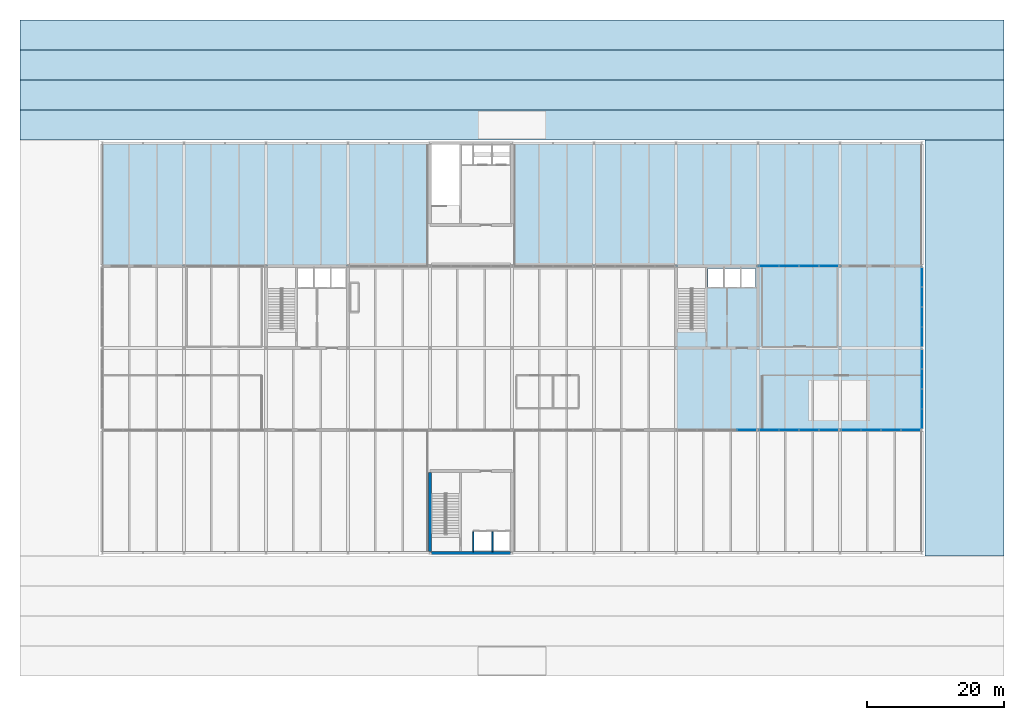
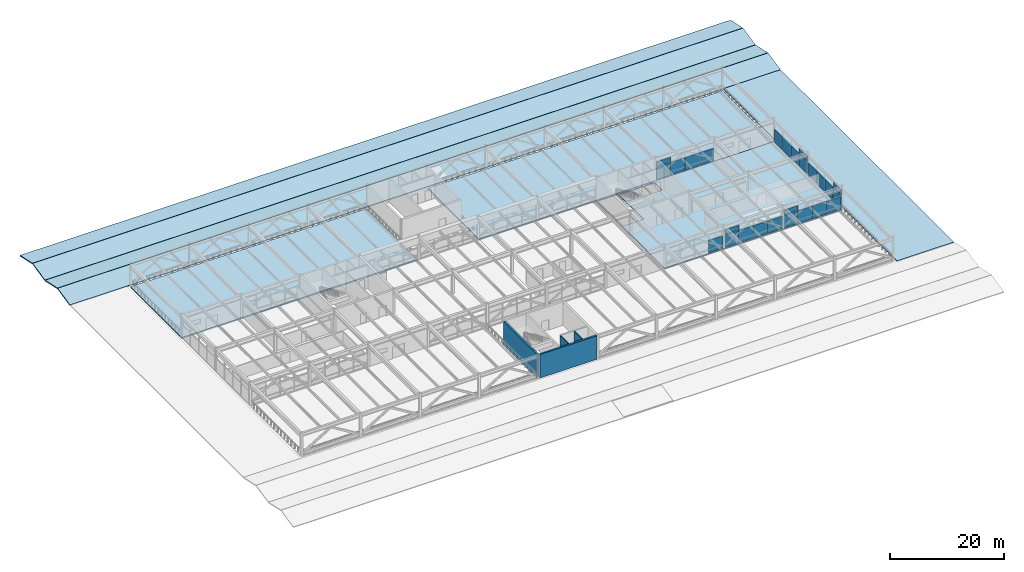
# One storey, part 34 of 42: 26 plates, 8 slabs, 4 walls, 6 elements without a shape of their own.
"""IFC4 building model written with IfcOpenShell, lengths in metres."""

from ifc_helpers import new_model, si_unit, direction, frame, frame_2d, origin, origin_2d, place, context, subcontext, project, spatial, polyline, rectangle, outline, extrude, material, layer, layer_set, type_object, element, aggregate, save


model = new_model("IFC4")

# Units and contexts
model_context = context("Model", 3, precision=1e-05, world=origin(), true_north=direction((0.0, 1.0)))
body_context = subcontext(model_context, "Body", "Model", "MODEL_VIEW")
ifc_project = project(units=[si_unit("LENGTHUNIT", "METRE"), si_unit("AREAUNIT", "SQUARE_METRE"), si_unit("VOLUMEUNIT", "CUBIC_METRE"), si_unit("PLANEANGLEUNIT", "RADIAN"), si_unit("MASSUNIT", "GRAM", prefix="KILO")], contexts=[model_context])

# Site, building, storey
site_placement = place(None, origin())
site = spatial("IfcSite", under=ifc_project, at=site_placement, CompositionType="ELEMENT")
building_placement = place(site_placement, origin())
building = spatial("IfcBuilding", under=site, at=building_placement, Name="Girod Span Mobility Hub", CompositionType="ELEMENT")
storey_placement = place(building_placement, frame((0.0, 0.0, 32.39990234375)))
storey = spatial("IfcBuildingStorey", under=building, at=storey_placement, Name="L08", CompositionType="ELEMENT", Elevation=32.39990234375)

# Curtain wall, plate
ifc_material_1 = material(Name="Thermally Broken Anodised Aluminium", Category="aluminium")
curtain_wall_type_1 = type_object("IfcCurtainWallType", Name="CW-1160X410", PredefinedType="USERDEFINED", material=ifc_material_1)
curtain_wall_1_placement = place(storey_placement, origin())
curtain_wall_1 = element("IfcCurtainWall", 1, at=curtain_wall_1_placement, inside=storey, type_object=curtain_wall_type_1, Name="Unitised Curtain Wall CW-L08-S11 L08", ObjectType="UNITISED CURTAIN WALL", PredefinedType="USERDEFINED")
ifc_material_2 = material(Name="Double Low-E Insulated Glazing", Category="glass")
ifc_layer_1 = layer(ifc_material_2, 0.05810546875)
ifc_layer_set_1 = layer_set([ifc_layer_1], Name="Double Low-E Insulated Glazing")
plate_type_1 = type_object("IfcPlateType", Name="PLT-SPN-2830X1068X58", PredefinedType="CURTAIN_PANEL", material=ifc_layer_set_1)
plate_1_placement = place(storey_placement, frame((121.651123046875, 45.0, 2.9521484375), z_axis=(0.0, 0.0, 1.0), x_axis=(1.0, 0.0, 0.0)))
plate_1 = element("IfcPlate", 2, at=plate_1_placement, type_object=plate_type_1, Name="Spandrel Glazing Panel CW-L08-S11-S1", PredefinedType="CURTAIN_PANEL", context=body_context, shape_type="SweptSolid", body=[
    extrude(rectangle(XDim=2.83642578125, YDim=0.05810546875, at=origin_2d()), origin(), (0.0, 0.0, 1.0), 1.028076171875),
])

curtain_wall_2_placement = place(storey_placement, origin())
curtain_wall_2 = element("IfcCurtainWall", 3, at=curtain_wall_2_placement, inside=storey, type_object=curtain_wall_type_1, Name="Unitised Curtain Wall CW-L08-N11 L08", ObjectType="UNITISED CURTAIN WALL", PredefinedType="USERDEFINED")
plate_2_placement = place(storey_placement, frame((121.651123046875, 69.0, 2.9521484375), z_axis=(0.0, 0.0, 1.0), x_axis=(1.0, 0.0, 0.0)))
plate_2 = element("IfcPlate", 4, at=plate_2_placement, type_object=plate_type_1, Name="Spandrel Glazing Panel CW-L08-N11-S1", PredefinedType="CURTAIN_PANEL", context=body_context, shape_type="SweptSolid", body=[
    extrude(rectangle(XDim=2.83642578125, YDim=0.05810546875, at=origin_2d()), origin(), (0.0, 0.0, 1.0), 1.028076171875),
])

curtain_wall_3_placement = place(storey_placement, origin())
curtain_wall_3 = element("IfcCurtainWall", 5, at=curtain_wall_3_placement, inside=storey, type_object=curtain_wall_type_1, Name="Unitised Curtain Wall CW-L08-S12 L08", ObjectType="UNITISED CURTAIN WALL", PredefinedType="USERDEFINED")
ifc_material_3 = material(Name="Double Low-E Insulated Glazing", Category="glass")
ifc_layer_2 = layer(ifc_material_3, 0.05810546875)
ifc_layer_set_2 = layer_set([ifc_layer_2], Name="Double Low-E Insulated Glazing")
plate_type_2 = type_object("IfcPlateType", Name="PLT-SPN-2831X1068X58", PredefinedType="CURTAIN_PANEL", material=ifc_layer_set_2)
plate_3_placement = place(storey_placement, frame((133.648193359375, 45.0, 2.9521484375), z_axis=(0.0, 0.0, 1.0), x_axis=(1.0, 0.0, 0.0)))
plate_3 = element("IfcPlate", 6, at=plate_3_placement, type_object=plate_type_2, Name="Spandrel Glazing Panel CW-L08-S12-S1", PredefinedType="CURTAIN_PANEL", context=body_context, shape_type="SweptSolid", body=[
    extrude(rectangle(XDim=2.83740234375, YDim=0.05810546875, at=origin_2d()), origin(), (0.0, 0.0, 1.0), 1.028076171875),
])

ifc_material_4 = material(Name="Thermally Broken Anodised Aluminium", Category="aluminium")
curtain_wall_type_2 = type_object("IfcCurtainWallType", Name="CW-1161X410", PredefinedType="USERDEFINED", material=ifc_material_4)
curtain_wall_4_placement = place(storey_placement, origin())
curtain_wall_4 = element("IfcCurtainWall", 7, at=curtain_wall_4_placement, inside=storey, type_object=curtain_wall_type_2, Name="Unitised Curtain Wall CW-L08-ED L08", ObjectType="UNITISED CURTAIN WALL", PredefinedType="USERDEFINED")
ifc_material_5 = material(Name="Double Low-E Insulated Glazing", Category="glass")
ifc_layer_3 = layer(ifc_material_5, 0.05810546875)
ifc_layer_set_3 = layer_set([ifc_layer_3], Name="Double Low-E Insulated Glazing")
plate_type_3 = type_object("IfcPlateType", Name="PLT-SPN-2833X1068X58", PredefinedType="CURTAIN_PANEL", material=ifc_layer_set_3)
plate_4_placement = place(storey_placement, frame((144.0, 46.64599609375, 2.9521484375), z_axis=(0.0, 0.0, 1.0), x_axis=(0.0, 1.0, 0.0)))
plate_4 = element("IfcPlate", 8, at=plate_4_placement, type_object=plate_type_3, Name="Spandrel Glazing Panel CW-L08-ED-S1", PredefinedType="CURTAIN_PANEL", context=body_context, shape_type="SweptSolid", body=[
    extrude(rectangle(XDim=2.8388671875, YDim=0.05810546875, at=origin_2d()), origin(), (0.0, 0.0, 1.0), 1.028076171875),
])

curtain_wall_5_placement = place(storey_placement, origin())
curtain_wall_5 = element("IfcCurtainWall", 9, at=curtain_wall_5_placement, inside=storey, type_object=curtain_wall_type_2, Name="Unitised Curtain Wall CW-L08-EE L08", ObjectType="UNITISED CURTAIN WALL", PredefinedType="USERDEFINED")
plate_5_placement = place(storey_placement, frame((144.0, 58.64599609375, 2.9521484375), z_axis=(0.0, 0.0, 1.0), x_axis=(0.0, 1.0, 0.0)))
plate_5 = element("IfcPlate", 10, at=plate_5_placement, type_object=plate_type_3, Name="Spandrel Glazing Panel CW-L08-EE-S1", PredefinedType="CURTAIN_PANEL", context=body_context, shape_type="SweptSolid", body=[
    extrude(rectangle(XDim=2.8388671875, YDim=0.05810546875, at=origin_2d()), origin(), (0.0, 0.0, 1.0), 1.028076171875),
])

curtain_wall_6_placement = place(storey_placement, origin())
curtain_wall_6 = element("IfcCurtainWall", 11, at=curtain_wall_6_placement, inside=storey, type_object=curtain_wall_type_1, Name="Unitised Curtain Wall CW-L08-S10 L08", ObjectType="UNITISED CURTAIN WALL", PredefinedType="USERDEFINED")
ifc_material_6 = material(Name="Double Low-E Insulated Glazing", Category="glass")
ifc_layer_4 = layer(ifc_material_6, 0.0458984375)
ifc_layer_set_4 = layer_set([ifc_layer_4], Name="Double Low-E Insulated Glazing")
plate_type_4 = type_object("IfcPlateType", Name="PLT-VIS-2830X2952X46", PredefinedType="CURTAIN_PANEL", material=ifc_layer_set_4)
plate_6_placement = place(storey_placement, frame((118.349365234375, 45.0, 0.14013671875), z_axis=(0.0, 0.0, 1.0), x_axis=(1.0, 0.0, 0.0)))
plate_6 = element("IfcPlate", 12, at=plate_6_placement, type_object=plate_type_4, Name="Vision Glazing Panel CW-L08-S10-V4", PredefinedType="CURTAIN_PANEL", context=body_context, shape_type="SweptSolid", body=[
    extrude(rectangle(XDim=2.83544921875, YDim=0.0458984375, at=origin_2d()), origin(), (0.0, 0.0, 1.0), 2.69189453125),
])
aggregate(curtain_wall_6, [plate_6])

# Plate
plate_7_placement = place(storey_placement, frame((121.651123046875, 45.0, 0.14013671875), z_axis=(0.0, 0.0, 1.0), x_axis=(1.0, 0.0, 0.0)))
plate_7 = element("IfcPlate", 13, at=plate_7_placement, type_object=plate_type_4, Name="Vision Glazing Panel CW-L08-S11-V1", PredefinedType="CURTAIN_PANEL", context=body_context, shape_type="SweptSolid", body=[
    extrude(rectangle(XDim=2.83642578125, YDim=0.0458984375, at=origin_2d()), origin(), (0.0, 0.0, 1.0), 2.69189453125),
])

plate_8_placement = place(storey_placement, frame((124.551513671875, 45.0, 0.14013671875), z_axis=(0.0, 0.0, 1.0), x_axis=(1.0, 0.0, 0.0)))
plate_8 = element("IfcPlate", 14, at=plate_8_placement, type_object=plate_type_4, Name="Vision Glazing Panel CW-L08-S11-V2", PredefinedType="CURTAIN_PANEL", context=body_context, shape_type="SweptSolid", body=[
    extrude(rectangle(XDim=2.836181640625, YDim=0.0458984375, at=origin_2d()), origin(), (0.0, 0.0, 1.0), 2.69189453125),
])

plate_9_placement = place(storey_placement, frame((127.451904296875, 45.0, 0.14013671875), z_axis=(0.0, 0.0, 1.0), x_axis=(1.0, 0.0, 0.0)))
plate_9 = element("IfcPlate", 15, at=plate_9_placement, type_object=plate_type_4, Name="Vision Glazing Panel CW-L08-S11-V3", PredefinedType="CURTAIN_PANEL", context=body_context, shape_type="SweptSolid", body=[
    extrude(rectangle(XDim=2.83642578125, YDim=0.0458984375, at=origin_2d()), origin(), (0.0, 0.0, 1.0), 2.69189453125),
])

plate_10_placement = place(storey_placement, frame((130.352294921875, 45.0, 0.14013671875), z_axis=(0.0, 0.0, 1.0), x_axis=(1.0, 0.0, 0.0)))
plate_10 = element("IfcPlate", 16, at=plate_10_placement, type_object=plate_type_4, Name="Vision Glazing Panel CW-L08-S11-V4", PredefinedType="CURTAIN_PANEL", context=body_context, shape_type="SweptSolid", body=[
    extrude(rectangle(XDim=2.83642578125, YDim=0.0458984375, at=origin_2d()), origin(), (0.0, 0.0, 1.0), 2.69189453125),
])

aggregate(curtain_wall_1, [plate_7, plate_1, plate_8, plate_9, plate_10])

plate_11_placement = place(storey_placement, frame((121.651123046875, 69.0, 0.14013671875), z_axis=(0.0, 0.0, 1.0), x_axis=(1.0, 0.0, 0.0)))
plate_11 = element("IfcPlate", 17, at=plate_11_placement, type_object=plate_type_4, Name="Vision Glazing Panel CW-L08-N11-V1", PredefinedType="CURTAIN_PANEL", context=body_context, shape_type="SweptSolid", body=[
    extrude(rectangle(XDim=2.83642578125, YDim=0.0458984375, at=origin_2d()), origin(), (0.0, 0.0, 1.0), 2.69189453125),
])

plate_12_placement = place(storey_placement, frame((124.551513671875, 69.0, 0.14013671875), z_axis=(0.0, 0.0, 1.0), x_axis=(1.0, 0.0, 0.0)))
plate_12 = element("IfcPlate", 18, at=plate_12_placement, type_object=plate_type_4, Name="Vision Glazing Panel CW-L08-N11-V2", PredefinedType="CURTAIN_PANEL", context=body_context, shape_type="SweptSolid", body=[
    extrude(rectangle(XDim=2.836181640625, YDim=0.0458984375, at=origin_2d()), origin(), (0.0, 0.0, 1.0), 2.69189453125),
])

plate_13_placement = place(storey_placement, frame((127.451904296875, 69.0, 0.14013671875), z_axis=(0.0, 0.0, 1.0), x_axis=(1.0, 0.0, 0.0)))
plate_13 = element("IfcPlate", 19, at=plate_13_placement, type_object=plate_type_4, Name="Vision Glazing Panel CW-L08-N11-V3", PredefinedType="CURTAIN_PANEL", context=body_context, shape_type="SweptSolid", body=[
    extrude(rectangle(XDim=2.83642578125, YDim=0.0458984375, at=origin_2d()), origin(), (0.0, 0.0, 1.0), 2.69189453125),
])

plate_14_placement = place(storey_placement, frame((130.352294921875, 69.0, 0.14013671875), z_axis=(0.0, 0.0, 1.0), x_axis=(1.0, 0.0, 0.0)))
plate_14 = element("IfcPlate", 20, at=plate_14_placement, type_object=plate_type_4, Name="Vision Glazing Panel CW-L08-N11-V4", PredefinedType="CURTAIN_PANEL", context=body_context, shape_type="SweptSolid", body=[
    extrude(rectangle(XDim=2.83642578125, YDim=0.0458984375, at=origin_2d()), origin(), (0.0, 0.0, 1.0), 2.69189453125),
])

aggregate(curtain_wall_2, [plate_11, plate_2, plate_12, plate_13, plate_14])

ifc_material_7 = material(Name="Double Low-E Insulated Glazing", Category="glass")
ifc_layer_5 = layer(ifc_material_7, 0.0458984375)
ifc_layer_set_5 = layer_set([ifc_layer_5], Name="Double Low-E Insulated Glazing")
plate_type_5 = type_object("IfcPlateType", Name="PLT-VIS-2831X2952X46", PredefinedType="CURTAIN_PANEL", material=ifc_layer_set_5)
plate_15_placement = place(storey_placement, frame((133.648193359375, 45.0, 0.14013671875), z_axis=(0.0, 0.0, 1.0), x_axis=(1.0, 0.0, 0.0)))
plate_15 = element("IfcPlate", 21, at=plate_15_placement, type_object=plate_type_5, Name="Vision Glazing Panel CW-L08-S12-V1", PredefinedType="CURTAIN_PANEL", context=body_context, shape_type="SweptSolid", body=[
    extrude(rectangle(XDim=2.83740234375, YDim=0.0458984375, at=origin_2d()), origin(), (0.0, 0.0, 1.0), 2.69189453125),
])

plate_16_placement = place(storey_placement, frame((136.54931640625, 45.0, 0.14013671875), z_axis=(0.0, 0.0, 1.0), x_axis=(1.0, 0.0, 0.0)))
plate_16 = element("IfcPlate", 22, at=plate_16_placement, type_object=plate_type_5, Name="Vision Glazing Panel CW-L08-S12-V2", PredefinedType="CURTAIN_PANEL", context=body_context, shape_type="SweptSolid", body=[
    extrude(rectangle(XDim=2.837158203125, YDim=0.0458984375, at=origin_2d()), origin(), (0.0, 0.0, 1.0), 2.69189453125),
])

plate_17_placement = place(storey_placement, frame((139.45068359375, 45.0, 0.14013671875), z_axis=(0.0, 0.0, 1.0), x_axis=(1.0, 0.0, 0.0)))
plate_17 = element("IfcPlate", 23, at=plate_17_placement, type_object=plate_type_5, Name="Vision Glazing Panel CW-L08-S12-V3", PredefinedType="CURTAIN_PANEL", context=body_context, shape_type="SweptSolid", body=[
    extrude(rectangle(XDim=2.837158203125, YDim=0.0458984375, at=origin_2d()), origin(), (0.0, 0.0, 1.0), 2.69189453125),
])

plate_18_placement = place(storey_placement, frame((142.351806640625, 45.0, 0.14013671875), z_axis=(0.0, 0.0, 1.0), x_axis=(1.0, 0.0, 0.0)))
plate_18 = element("IfcPlate", 24, at=plate_18_placement, type_object=plate_type_5, Name="Vision Glazing Panel CW-L08-S12-V4", PredefinedType="CURTAIN_PANEL", context=body_context, shape_type="SweptSolid", body=[
    extrude(rectangle(XDim=2.83740234375, YDim=0.0458984375, at=origin_2d()), origin(), (0.0, 0.0, 1.0), 2.69189453125),
])

aggregate(curtain_wall_3, [plate_15, plate_3, plate_16, plate_17, plate_18])

ifc_material_8 = material(Name="Double Low-E Insulated Glazing", Category="glass")
ifc_layer_6 = layer(ifc_material_8, 0.0458984375)
ifc_layer_set_6 = layer_set([ifc_layer_6], Name="Double Low-E Insulated Glazing")
plate_type_6 = type_object("IfcPlateType", Name="PLT-VIS-2833X2952X46", PredefinedType="CURTAIN_PANEL", material=ifc_layer_set_6)
plate_19_placement = place(storey_placement, frame((144.0, 46.64599609375, 0.14013671875), z_axis=(0.0, 0.0, 1.0), x_axis=(0.0, 1.0, 0.0)))
plate_19 = element("IfcPlate", 25, at=plate_19_placement, type_object=plate_type_6, Name="Vision Glazing Panel CW-L08-ED-V1", PredefinedType="CURTAIN_PANEL", context=body_context, shape_type="SweptSolid", body=[
    extrude(rectangle(XDim=2.8388671875, YDim=0.0458984375, at=origin_2d()), origin(), (0.0, 0.0, 1.0), 2.69189453125),
])

plate_20_placement = place(storey_placement, frame((144.0, 49.548583984375, 0.14013671875), z_axis=(0.0, 0.0, 1.0), x_axis=(0.0, 1.0, 0.0)))
plate_20 = element("IfcPlate", 26, at=plate_20_placement, type_object=plate_type_6, Name="Vision Glazing Panel CW-L08-ED-V2", PredefinedType="CURTAIN_PANEL", context=body_context, shape_type="SweptSolid", body=[
    extrude(rectangle(XDim=2.838623046875, YDim=0.0458984375, at=origin_2d()), origin(), (0.0, 0.0, 1.0), 2.69189453125),
])

plate_21_placement = place(storey_placement, frame((144.0, 52.451416015625, 0.14013671875), z_axis=(0.0, 0.0, 1.0), x_axis=(0.0, 1.0, 0.0)))
plate_21 = element("IfcPlate", 27, at=plate_21_placement, type_object=plate_type_6, Name="Vision Glazing Panel CW-L08-ED-V3", PredefinedType="CURTAIN_PANEL", context=body_context, shape_type="SweptSolid", body=[
    extrude(rectangle(XDim=2.838623046875, YDim=0.0458984375, at=origin_2d()), origin(), (0.0, 0.0, 1.0), 2.69189453125),
])

plate_22_placement = place(storey_placement, frame((144.0, 55.35400390625, 0.14013671875), z_axis=(0.0, 0.0, 1.0), x_axis=(0.0, 1.0, 0.0)))
plate_22 = element("IfcPlate", 28, at=plate_22_placement, type_object=plate_type_6, Name="Vision Glazing Panel CW-L08-ED-V4", PredefinedType="CURTAIN_PANEL", context=body_context, shape_type="SweptSolid", body=[
    extrude(rectangle(XDim=2.8388671875, YDim=0.0458984375, at=origin_2d()), origin(), (0.0, 0.0, 1.0), 2.69189453125),
])

aggregate(curtain_wall_4, [plate_19, plate_4, plate_20, plate_21, plate_22])

plate_23_placement = place(storey_placement, frame((144.0, 58.64599609375, 0.14013671875), z_axis=(0.0, 0.0, 1.0), x_axis=(0.0, 1.0, 0.0)))
plate_23 = element("IfcPlate", 29, at=plate_23_placement, type_object=plate_type_6, Name="Vision Glazing Panel CW-L08-EE-V1", PredefinedType="CURTAIN_PANEL", context=body_context, shape_type="SweptSolid", body=[
    extrude(rectangle(XDim=2.8388671875, YDim=0.0458984375, at=origin_2d()), origin(), (0.0, 0.0, 1.0), 2.69189453125),
])

plate_24_placement = place(storey_placement, frame((144.0, 61.548583984375, 0.14013671875), z_axis=(0.0, 0.0, 1.0), x_axis=(0.0, 1.0, 0.0)))
plate_24 = element("IfcPlate", 30, at=plate_24_placement, type_object=plate_type_6, Name="Vision Glazing Panel CW-L08-EE-V2", PredefinedType="CURTAIN_PANEL", context=body_context, shape_type="SweptSolid", body=[
    extrude(rectangle(XDim=2.838623046875, YDim=0.0458984375, at=origin_2d()), origin(), (0.0, 0.0, 1.0), 2.69189453125),
])

plate_25_placement = place(storey_placement, frame((144.0, 64.451416015625, 0.14013671875), z_axis=(0.0, 0.0, 1.0), x_axis=(0.0, 1.0, 0.0)))
plate_25 = element("IfcPlate", 31, at=plate_25_placement, type_object=plate_type_6, Name="Vision Glazing Panel CW-L08-EE-V3", PredefinedType="CURTAIN_PANEL", context=body_context, shape_type="SweptSolid", body=[
    extrude(rectangle(XDim=2.838623046875, YDim=0.0458984375, at=origin_2d()), origin(), (0.0, 0.0, 1.0), 2.69189453125),
])

plate_26_placement = place(storey_placement, frame((144.0, 67.35400390625, 0.14013671875), z_axis=(0.0, 0.0, 1.0), x_axis=(0.0, 1.0, 0.0)))
plate_26 = element("IfcPlate", 32, at=plate_26_placement, type_object=plate_type_6, Name="Vision Glazing Panel CW-L08-EE-V4", PredefinedType="CURTAIN_PANEL", context=body_context, shape_type="SweptSolid", body=[
    extrude(rectangle(XDim=2.8388671875, YDim=0.0458984375, at=origin_2d()), origin(), (0.0, 0.0, 1.0), 2.69189453125),
])

aggregate(curtain_wall_5, [plate_23, plate_5, plate_24, plate_25, plate_26])

# Slabs
ifc_material_9 = material(Name="Concrete C40/50", Category="concrete")
ifc_layer_7 = layer(ifc_material_9, 0.27490234375)
ifc_layer_set_7 = layer_set([ifc_layer_7], Name="Concrete C40/50")
slab_type_1 = type_object("IfcSlabType", Name="SL-EXT-275", PredefinedType="FLOOR", material=ifc_layer_set_7)
slab_1_placement = place(storey_placement, frame((0.0, 0.0, -0.27490234375)))
element("IfcSlab", 33, at=slab_1_placement, inside=storey, type_object=slab_type_1, Name="North West Rooftop Sports Court Deck", PredefinedType="FLOOR", context=body_context, shape_type="SweptSolid", body=[
    extrude(outline(polyline([(71.75, 69.0), (71.75, 87.0), (24.0, 87.0), (24.0, 69.0), (71.75, 69.0)])), origin(), (0.0, 0.0, 1.0), 0.27490234375),
])
slab_2_placement = place(storey_placement, frame((0.0, 0.0, -0.27490234375)))
element("IfcSlab", 34, at=slab_2_placement, inside=storey, type_object=slab_type_1, Name="North East Rooftop Sports Court Deck", PredefinedType="FLOOR", context=body_context, shape_type="SweptSolid", body=[
    extrude(outline(polyline([(144.0, 69.0), (144.0, 87.0), (84.25, 87.0), (84.25, 69.0), (144.0, 69.0)])), origin(), (0.0, 0.0, 1.0), 0.27490234375),
])
ifc_material_10 = material(Name="Concrete C40/50", Category="concrete")
ifc_layer_8 = layer(ifc_material_10, 0.25)
ifc_layer_set_8 = layer_set([ifc_layer_8], Name="Concrete C40/50")
slab_type_2 = type_object("IfcSlabType", Name="SL-FLR-250", PredefinedType="FLOOR", material=ifc_layer_set_8)
slab_3_placement = place(storey_placement, frame((0.0, 0.0, -0.25)))
element("IfcSlab", 35, at=slab_3_placement, inside=storey, type_object=slab_type_2, Name="L08 Transfer Spine Floor Slab E", PredefinedType="FLOOR", context=body_context, shape_type="SweptSolid", body=[
    extrude(outline(polyline([(108.0, 45.0), (108.0, 69.0), (144.0, 69.0), (144.0, 45.0), (108.0, 45.0)]), holes=[polyline([(112.340087890625, 68.820068359375), (108.219970703125, 68.820068359375), (108.219970703125, 59.8349609375), (112.340087890625, 59.8349609375), (112.340087890625, 68.820068359375)]), polyline([(114.949951171875, 68.64990234375), (112.64990234375, 68.64990234375), (112.64990234375, 65.949951171875), (114.949951171875, 65.949951171875), (114.949951171875, 68.64990234375)]), polyline([(117.35009765625, 68.64990234375), (115.199951171875, 68.64990234375), (115.199951171875, 65.949951171875), (117.35009765625, 65.949951171875), (117.35009765625, 68.64990234375)]), polyline([(119.64990234375, 68.64990234375), (117.60009765625, 68.64990234375), (117.60009765625, 65.949951171875), (119.64990234375, 65.949951171875), (119.64990234375, 68.64990234375)])]), origin(), (0.0, 0.0, 1.0), 0.25),
])
ifc_material_11 = material(Name="Concrete C40/50", Category="concrete")
ifc_layer_9 = layer(ifc_material_11, 0.219970703125)
ifc_layer_set_9 = layer_set([ifc_layer_9], Name="Concrete C40/50")
slab_type_3 = type_object("IfcSlabType", Name="SL-ROOF-220", PredefinedType="ROOF", material=ifc_layer_set_9)
slab_4_placement = place(storey_placement, frame((12.0, 87.449951171875, 0.0), z_axis=(0.0, -0.210349678568, 0.977626213195), x_axis=(1.0, 0.0, 0.0)))
element("IfcSlab", 36, at=slab_4_placement, inside=storey, type_object=slab_type_3, Name="Insulated Folded Setback Roof above L07 N Fold 1", PredefinedType="ROOF", context=body_context, shape_type="SweptSolid", body=[
    extrude(outline(polyline([(0.0, 0.0), (144.0, 0.0), (144.0, 4.469631488264801), (0.0, 4.469631488264801), (0.0, 0.0)])), origin(), (0.0, 0.0, -1.0), 0.219970703125),
])
for number, where, z_axis, x_axis, name in (
    (37, (12.0, 91.85546875, 0.940185546875), (0.0, 0.211184116925, 0.97744629968), (1.0, 0.0, 0.0), "Insulated Folded Setback Roof above L07 N Fold 2"),
    (38, (12.0, 96.242919921875, 0.0), (0.0, -0.211184116925, 0.97744629968), (1.0, 0.0, 0.0), "Insulated Folded Setback Roof above L07 N Fold 3"),
):
    element("IfcSlab", number, at=place(storey_placement, frame(where, z_axis=z_axis, x_axis=x_axis)), inside=storey, type_object=slab_type_3, Name=name, PredefinedType="ROOF", context=body_context, shape_type="SweptSolid", body=[
        extrude(outline(polyline([(0.0, 0.0), (144.0, 0.0), (144.0, 4.451970917914771), (0.0, 4.451970917914771), (0.0, 0.0)])), origin(), (0.0, 0.0, -1.0), 0.219970703125),
    ])
slab_5_placement = place(storey_placement, frame((12.0, 100.630615234375, 0.940185546875), z_axis=(0.0, 0.210360911825, 0.977623796138), x_axis=(1.0, 0.0, 0.0)))
element("IfcSlab", 39, at=slab_5_placement, inside=storey, type_object=slab_type_3, Name="Insulated Folded Setback Roof above L07 N Fold 4", PredefinedType="ROOF", context=body_context, shape_type="SweptSolid", body=[
    extrude(outline(polyline([(0.0, 0.0), (144.0, 0.0), (144.0, 4.469392810285138), (0.0, 4.469392810285138), (0.0, 0.0)])), origin(), (0.0, 0.0, -1.0), 0.219970703125),
])
slab_6_placement = place(storey_placement, frame((0.0, 0.0, -0.219970703125)))
element("IfcSlab", 40, at=slab_6_placement, inside=storey, type_object=slab_type_3, Name="Insulated Setback Roof Slab above L07 E", PredefinedType="ROOF", context=body_context, shape_type="SweptSolid", body=[
    extrude(outline(polyline([(156.0, 26.550048828125), (144.449951171875, 26.550048828125), (144.449951171875, 45.449951171875), (144.449951171875, 68.550048828125), (144.449951171875, 87.449951171875), (156.0, 87.449951171875), (156.0, 26.550048828125)])), origin(), (0.0, 0.0, 1.0), 0.219970703125),
])

# Walls
ifc_material_12 = material(Name="Concrete C40/50", Category="concrete")
ifc_layer_10 = layer(ifc_material_12, 0.3798828125)
ifc_layer_set_10 = layer_set([ifc_layer_10], Name="Concrete C40/50")
wall_type_1 = type_object("IfcWallType", Name="W-CW-380", PredefinedType="SHEAR", material=ifc_layer_set_10)
wall_1_placement = place(storey_placement, frame((72.196533203125, 27.0, 0.0), z_axis=(0.0, 0.0, 1.0), x_axis=(1.0, 0.0, 0.0)))
element("IfcWall", 41, at=wall_1_placement, inside=storey, type_object=wall_type_1, Name="Core C3 Shear Wall S L08", PredefinedType="SHEAR", context=body_context, shape_type="SweptSolid", body=[
    extrude(rectangle(XDim=11.60693359375, YDim=0.3798828125, at=frame_2d((5.803466796875, 0.0))), origin(), (0.0, 0.0, 1.0), 5.043212890625),
])
wall_2_placement = place(storey_placement, frame((72.0, 27.193603515625, 0.0), z_axis=(0.0, 0.0, 1.0), x_axis=(0.0, 1.0, 0.0)))
element("IfcWall", 42, at=wall_2_placement, inside=storey, type_object=wall_type_1, Name="Core C3 Shear Wall W L08", PredefinedType="SHEAR", context=body_context, shape_type="SweptSolid", body=[
    extrude(rectangle(XDim=11.619384765625, YDim=0.3798828125, at=frame_2d((5.8095703125, 0.0))), origin(), (0.0, 0.0, 1.0), 5.043212890625),
])
ifc_material_13 = material(Name="Concrete C40/50", Category="concrete")
ifc_layer_11 = layer(ifc_material_13, 0.199951171875)
ifc_layer_set_11 = layer_set([ifc_layer_11], Name="Concrete C40/50")
wall_type_2 = type_object("IfcWallType", Name="W-SH-200", PredefinedType="SOLIDWALL", material=ifc_layer_set_11)
for number, where, z_axis, x_axis, name in (
    (43, (78.320068359375, 27.18994140625, 0.0), (0.0, 0.0, 1.0), (0.0, 1.0, 0.0), "Core C3 Shaft Divider 1 L08"),
    (44, (81.1201171875, 27.18994140625, 0.0), (0.0, 0.0, 1.0), (0.0, 1.0, 0.0), "Core C3 Shaft Divider 2 L08"),
):
    element("IfcWall", number, at=place(storey_placement, frame(where, z_axis=z_axis, x_axis=x_axis)), inside=storey, type_object=wall_type_2, Name=name, PredefinedType="SOLIDWALL", context=body_context, shape_type="SweptSolid", body=[
        extrude(rectangle(XDim=2.89013671875, YDim=0.199951171875, at=frame_2d((1.445068359375, 0.0))), origin(), (0.0, 0.0, 1.0), 5.033203125),
    ])

save(model, "model.ifc")
